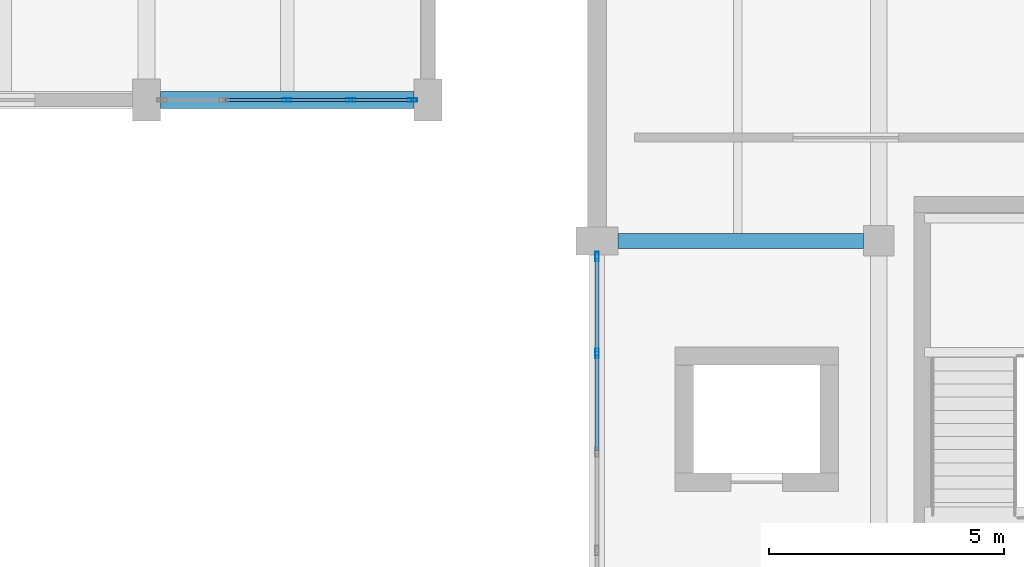
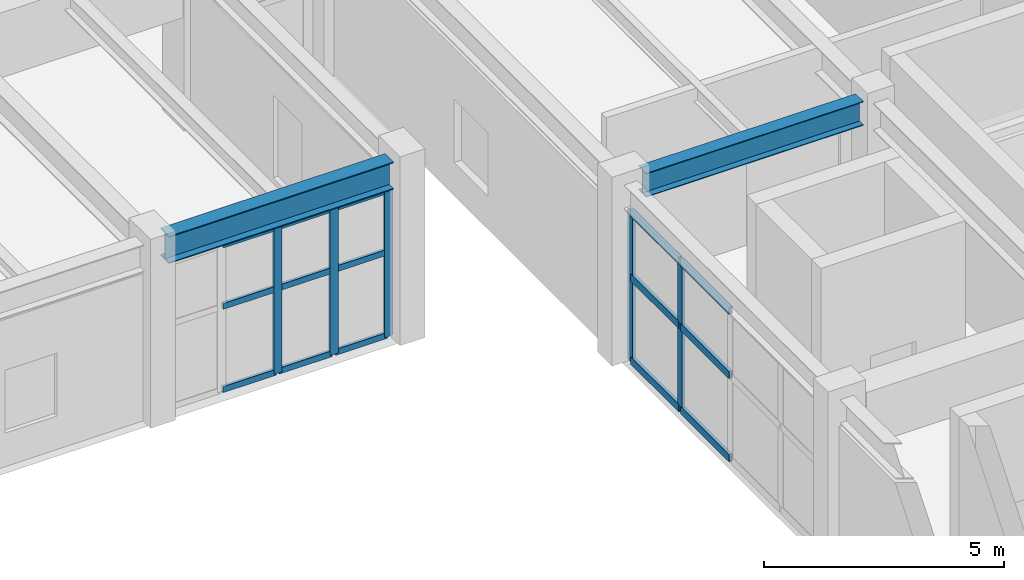
# One storey, part 12 of 85: 20 members, 2 beams, 2 elements without a shape of their own.
"""IFC4 building model written with IfcOpenShell, lengths in metres."""

from ifc_helpers import new_model, si_unit, direction, frame, origin, origin_2d, place, context, subcontext, project, spatial, hollow_rectangle, i_section, extrude, material, layer, layer_set, material_profile, profile_set, type_object, element, aggregate, save


model = new_model("IFC4")

# Units and contexts
model_context = context("Model", 3, precision=1e-05, world=origin(), true_north=direction((0.0, 1.0)))
body_context = subcontext(model_context, "Body", "Model", "MODEL_VIEW")
ifc_project = project(units=[si_unit("LENGTHUNIT", "METRE"), si_unit("AREAUNIT", "SQUARE_METRE"), si_unit("VOLUMEUNIT", "CUBIC_METRE"), si_unit("PLANEANGLEUNIT", "RADIAN"), si_unit("MASSUNIT", "GRAM", prefix="KILO")], contexts=[model_context])

# Site, building, storey
site_placement = place(None, origin())
site = spatial("IfcSite", under=ifc_project, at=site_placement, CompositionType="ELEMENT")
building_placement = place(site_placement, origin())
building = spatial("IfcBuilding", under=site, at=building_placement, Name="Vaelkrest Opera House", CompositionType="ELEMENT")
storey_placement = place(building_placement, frame((0.0, 0.0, 10.199951171875)))
storey = spatial("IfcBuildingStorey", under=building, at=storey_placement, Name="L02", CompositionType="ELEMENT", Elevation=10.199951171875)

# Beam
ifc_material_1 = material(Name="Steel A992 Gr50", Category="steel")
ifc_material_profile_1 = material_profile(ifc_material_1, i_section(OverallWidth=0.323974609375, OverallDepth=0.611083984375, WebThickness=0.0126953125, FlangeThickness=0.01904296875, at=origin_2d()), Name="W24X104")
ifc_profile_set_1 = profile_set([ifc_material_profile_1], Name="Steel A992 Gr50")
beam_type_1 = type_object("IfcBeamType", Name="B08", PredefinedType="BEAM", material=ifc_profile_set_1)
beam_1_placement = place(storey_placement, frame((-29.550048828125, -19.800048828125, 4.199462890625), z_axis=(1.0, 0.0, 0.0), x_axis=(0.0, 1.0, 0.0)))
element("IfcBeam", 1, at=beam_1_placement, inside=storey, type_object=beam_type_1, Name="Beam BM-V1-L02-0337", PredefinedType="BEAM", context=body_context, shape_type="SweptSolid", body=[
    extrude(i_section(OverallWidth=0.323974609375, OverallDepth=0.611083984375, WebThickness=0.0126953125, FlangeThickness=0.01904296875, at=origin_2d()), origin(), (0.0, 0.0, 1.0), 5.22509765625),
])

# Curtain wall, members
ifc_material_2 = material(Name="Dark bronze anodized aluminium", Category="aluminium")
ifc_layer_1 = layer(ifc_material_2, 0.22998046875)
ifc_layer_set_1 = layer_set([ifc_layer_1], Name="Dark bronze anodized aluminium")
curtain_wall_type_1 = type_object("IfcCurtainWallType", Name="CW06", PredefinedType="NOTDEFINED", material=ifc_layer_set_1)
curtain_wall_1_placement = place(storey_placement, origin())
curtain_wall_1 = element("IfcCurtainWall", 2, at=curtain_wall_1_placement, inside=storey, type_object=curtain_wall_type_1, Name="Curtain wall CW-L02-037", PredefinedType="NOTDEFINED")
ifc_material_profile_2 = material_profile(ifc_material_2, hollow_rectangle(XDim=0.070068359375, YDim=0.199951171875, WallThickness=0.004150390625, at=origin_2d()), Name="CWM70X200")
ifc_profile_set_2 = profile_set([ifc_material_profile_2], Name="Dark bronze anodized aluminium")
member_type_1 = type_object("IfcMemberType", Name="CWM02", PredefinedType="MULLION", material=ifc_profile_set_2)
member_1_placement = place(storey_placement, frame((-30.0, -22.198974609375, 0.0), z_axis=(0.0, 0.0, 1.0), x_axis=(-1.0, 0.0, 0.0)))
member_1 = element("IfcMember", 3, at=member_1_placement, type_object=member_type_1, Name="CW06 mullion 4", PredefinedType="MULLION", context=body_context, shape_type="SweptSolid", body=[
    extrude(hollow_rectangle(XDim=0.070068359375, YDim=0.199951171875, WallThickness=0.004150390625, at=origin_2d()), origin(), (0.0, 0.0, 1.0), 3.8291015625),
])
member_2_placement = place(storey_placement, frame((-30.0, -20.133056640625, 0.0), z_axis=(0.0, 0.0, 1.0), x_axis=(-1.0, 0.0, 0.0)))
member_2 = element("IfcMember", 4, at=member_2_placement, type_object=member_type_1, Name="CW06 mullion 5", PredefinedType="MULLION", context=body_context, shape_type="SweptSolid", body=[
    extrude(hollow_rectangle(XDim=0.070068359375, YDim=0.199951171875, WallThickness=0.004150390625, at=origin_2d()), origin(), (0.0, 0.0, 1.0), 3.8291015625),
])

ifc_layer_2 = layer(ifc_material_2, 0.18994140625)
ifc_layer_set_2 = layer_set([ifc_layer_2], Name="Dark bronze anodized aluminium")
curtain_wall_type_2 = type_object("IfcCurtainWallType", Name="CW02", PredefinedType="NOTDEFINED", material=ifc_layer_set_2)
curtain_wall_2_placement = place(storey_placement, origin())
curtain_wall_2 = element("IfcCurtainWall", 5, at=curtain_wall_2_placement, inside=storey, type_object=curtain_wall_type_2, Name="Curtain wall CW-L02-112", PredefinedType="NOTDEFINED")
member_3_placement = place(storey_placement, frame((-33.93310546875, -16.800048828125, 0.0), z_axis=(0.0, 0.0, 1.0), x_axis=(0.0, -1.0, 0.0)))
member_3 = element("IfcMember", 6, at=member_3_placement, type_object=member_type_1, Name="CW02 mullion 1", PredefinedType="MULLION", context=body_context, shape_type="SweptSolid", body=[
    extrude(hollow_rectangle(XDim=0.070068359375, YDim=0.199951171875, WallThickness=0.004150390625, at=origin_2d()), origin(), (0.0, 0.0, 1.0), 3.7451171875),
])
member_4_placement = place(storey_placement, frame((-35.2490234375, -16.800048828125, 0.0), z_axis=(0.0, 0.0, 1.0), x_axis=(0.0, -1.0, 0.0)))
member_4 = element("IfcMember", 7, at=member_4_placement, type_object=member_type_1, Name="CW02 mullion 2", PredefinedType="MULLION", context=body_context, shape_type="SweptSolid", body=[
    extrude(hollow_rectangle(XDim=0.070068359375, YDim=0.199951171875, WallThickness=0.004150390625, at=origin_2d()), origin(), (0.0, 0.0, 1.0), 3.7451171875),
])
member_5_placement = place(storey_placement, frame((-36.60009765625, -16.800048828125, 0.0), z_axis=(0.0, 0.0, 1.0), x_axis=(0.0, -1.0, 0.0)))
member_5 = element("IfcMember", 8, at=member_5_placement, type_object=member_type_1, Name="CW02 mullion 3", PredefinedType="MULLION", context=body_context, shape_type="SweptSolid", body=[
    extrude(hollow_rectangle(XDim=0.070068359375, YDim=0.199951171875, WallThickness=0.004150390625, at=origin_2d()), origin(), (0.0, 0.0, 1.0), 3.7451171875),
])
ifc_material_profile_3 = material_profile(ifc_material_2, hollow_rectangle(XDim=0.070068359375, YDim=0.14990234375, WallThickness=0.004150390625, at=origin_2d()), Name="CWT70X150")
ifc_profile_set_3 = profile_set([ifc_material_profile_3], Name="Dark bronze anodized aluminium")
member_type_2 = type_object("IfcMemberType", Name="CWT02", PredefinedType="USERDEFINED", material=ifc_profile_set_3)
member_6_placement = place(storey_placement, frame((-33.968017578125, -16.800048828125, 0.03515625), z_axis=(-1.0, 0.0, 0.0), x_axis=(0.0, -1.0, 0.0)))
member_6 = element("IfcMember", 9, at=member_6_placement, type_object=member_type_2, Name="CW02 transom 1.1", ObjectType="TRANSOM", PredefinedType="USERDEFINED", context=body_context, shape_type="SweptSolid", body=[
    extrude(hollow_rectangle(XDim=0.070068359375, YDim=0.14990234375, WallThickness=0.004150390625, at=origin_2d()), origin(), (0.0, 0.0, 1.0), 1.24609375),
])
member_7_placement = place(storey_placement, frame((-33.968017578125, -16.800048828125, 2.150146484375), z_axis=(-1.0, 0.0, 0.0), x_axis=(0.0, -1.0, 0.0)))
member_7 = element("IfcMember", 10, at=member_7_placement, type_object=member_type_2, Name="CW02 transom 1.2", ObjectType="TRANSOM", PredefinedType="USERDEFINED", context=body_context, shape_type="SweptSolid", body=[
    extrude(hollow_rectangle(XDim=0.070068359375, YDim=0.14990234375, WallThickness=0.004150390625, at=origin_2d()), origin(), (0.0, 0.0, 1.0), 1.24609375),
])
member_8_placement = place(storey_placement, frame((-33.968017578125, -16.800048828125, 3.7099609375), z_axis=(-1.0, 0.0, 0.0), x_axis=(0.0, -1.0, 0.0)))
member_8 = element("IfcMember", 11, at=member_8_placement, type_object=member_type_2, Name="CW02 transom 1.3", ObjectType="TRANSOM", PredefinedType="USERDEFINED", context=body_context, shape_type="SweptSolid", body=[
    extrude(hollow_rectangle(XDim=0.070068359375, YDim=0.14990234375, WallThickness=0.004150390625, at=origin_2d()), origin(), (0.0, 0.0, 1.0), 1.24609375),
])
member_9_placement = place(storey_placement, frame((-35.283935546875, -16.800048828125, 0.03515625), z_axis=(-1.0, 0.0, 0.0), x_axis=(0.0, -1.0, 0.0)))
member_9 = element("IfcMember", 12, at=member_9_placement, type_object=member_type_2, Name="CW02 transom 2.1", ObjectType="TRANSOM", PredefinedType="USERDEFINED", context=body_context, shape_type="SweptSolid", body=[
    extrude(hollow_rectangle(XDim=0.070068359375, YDim=0.14990234375, WallThickness=0.004150390625, at=origin_2d()), origin(), (0.0, 0.0, 1.0), 1.281005859375),
])
member_10_placement = place(storey_placement, frame((-35.283935546875, -16.800048828125, 2.150146484375), z_axis=(-1.0, 0.0, 0.0), x_axis=(0.0, -1.0, 0.0)))
member_10 = element("IfcMember", 13, at=member_10_placement, type_object=member_type_2, Name="CW02 transom 2.2", ObjectType="TRANSOM", PredefinedType="USERDEFINED", context=body_context, shape_type="SweptSolid", body=[
    extrude(hollow_rectangle(XDim=0.070068359375, YDim=0.14990234375, WallThickness=0.004150390625, at=origin_2d()), origin(), (0.0, 0.0, 1.0), 1.281005859375),
])
member_11_placement = place(storey_placement, frame((-35.283935546875, -16.800048828125, 3.7099609375), z_axis=(-1.0, 0.0, 0.0), x_axis=(0.0, -1.0, 0.0)))
member_11 = element("IfcMember", 14, at=member_11_placement, type_object=member_type_2, Name="CW02 transom 2.3", ObjectType="TRANSOM", PredefinedType="USERDEFINED", context=body_context, shape_type="SweptSolid", body=[
    extrude(hollow_rectangle(XDim=0.070068359375, YDim=0.14990234375, WallThickness=0.004150390625, at=origin_2d()), origin(), (0.0, 0.0, 1.0), 1.281005859375),
])
member_12_placement = place(storey_placement, frame((-36.635009765625, -16.800048828125, 0.03515625), z_axis=(-1.0, 0.0, 0.0), x_axis=(0.0, -1.0, 0.0)))
member_12 = element("IfcMember", 15, at=member_12_placement, type_object=member_type_2, Name="CW02 transom 3.1", ObjectType="TRANSOM", PredefinedType="USERDEFINED", context=body_context, shape_type="SweptSolid", body=[
    extrude(hollow_rectangle(XDim=0.070068359375, YDim=0.14990234375, WallThickness=0.004150390625, at=origin_2d()), origin(), (0.0, 0.0, 1.0), 1.281005859375),
])
member_13_placement = place(storey_placement, frame((-36.635009765625, -16.800048828125, 2.150146484375), z_axis=(-1.0, 0.0, 0.0), x_axis=(0.0, -1.0, 0.0)))
member_13 = element("IfcMember", 16, at=member_13_placement, type_object=member_type_2, Name="CW02 transom 3.2", ObjectType="TRANSOM", PredefinedType="USERDEFINED", context=body_context, shape_type="SweptSolid", body=[
    extrude(hollow_rectangle(XDim=0.070068359375, YDim=0.14990234375, WallThickness=0.004150390625, at=origin_2d()), origin(), (0.0, 0.0, 1.0), 1.281005859375),
])
member_14_placement = place(storey_placement, frame((-36.635009765625, -16.800048828125, 3.7099609375), z_axis=(-1.0, 0.0, 0.0), x_axis=(0.0, -1.0, 0.0)))
member_14 = element("IfcMember", 17, at=member_14_placement, type_object=member_type_2, Name="CW02 transom 3.3", ObjectType="TRANSOM", PredefinedType="USERDEFINED", context=body_context, shape_type="SweptSolid", body=[
    extrude(hollow_rectangle(XDim=0.070068359375, YDim=0.14990234375, WallThickness=0.004150390625, at=origin_2d()), origin(), (0.0, 0.0, 1.0), 1.281005859375),
])
aggregate(curtain_wall_2, [member_3, member_4, member_5, member_6, member_7, member_8, member_9, member_10, member_11, member_12, member_13, member_14])

# Member
ifc_material_profile_4 = material_profile(ifc_material_2, hollow_rectangle(XDim=0.080078125, YDim=0.18994140625, WallThickness=0.0048828125, at=origin_2d()), Name="CWT80X190")
ifc_profile_set_4 = profile_set([ifc_material_profile_4], Name="Dark bronze anodized aluminium")
member_type_3 = type_object("IfcMemberType", Name="CWT04", PredefinedType="USERDEFINED", material=ifc_profile_set_4)
member_15_placement = place(storey_placement, frame((-30.0, -24.264892578125, 0.0400390625), z_axis=(0.0, 1.0, 0.0), x_axis=(-1.0, 0.0, 0.0)))
member_15 = element("IfcMember", 18, at=member_15_placement, type_object=member_type_3, Name="CW06 transom 3.1", ObjectType="TRANSOM", PredefinedType="USERDEFINED", context=body_context, shape_type="SweptSolid", body=[
    extrude(hollow_rectangle(XDim=0.080078125, YDim=0.18994140625, WallThickness=0.0048828125, at=origin_2d()), origin(), (0.0, 0.0, 1.0), 2.031005859375),
])

member_16_placement = place(storey_placement, frame((-30.0, -24.264892578125, 2.150146484375), z_axis=(0.0, 1.0, 0.0), x_axis=(-1.0, 0.0, 0.0)))
member_16 = element("IfcMember", 19, at=member_16_placement, type_object=member_type_3, Name="CW06 transom 3.2", ObjectType="TRANSOM", PredefinedType="USERDEFINED", context=body_context, shape_type="SweptSolid", body=[
    extrude(hollow_rectangle(XDim=0.080078125, YDim=0.18994140625, WallThickness=0.0048828125, at=origin_2d()), origin(), (0.0, 0.0, 1.0), 2.031005859375),
])

member_17_placement = place(storey_placement, frame((-30.0, -24.264892578125, 3.7890625), z_axis=(0.0, 1.0, 0.0), x_axis=(-1.0, 0.0, 0.0)))
member_17 = element("IfcMember", 20, at=member_17_placement, type_object=member_type_3, Name="CW06 transom 3.3", ObjectType="TRANSOM", PredefinedType="USERDEFINED", context=body_context, shape_type="SweptSolid", body=[
    extrude(hollow_rectangle(XDim=0.080078125, YDim=0.18994140625, WallThickness=0.0048828125, at=origin_2d()), origin(), (0.0, 0.0, 1.0), 2.031005859375),
])

member_18_placement = place(storey_placement, frame((-30.0, -22.1640625, 0.0400390625), z_axis=(0.0, 1.0, 0.0), x_axis=(-1.0, 0.0, 0.0)))
member_18 = element("IfcMember", 21, at=member_18_placement, type_object=member_type_3, Name="CW06 transom 4.1", ObjectType="TRANSOM", PredefinedType="USERDEFINED", context=body_context, shape_type="SweptSolid", body=[
    extrude(hollow_rectangle(XDim=0.080078125, YDim=0.18994140625, WallThickness=0.0048828125, at=origin_2d()), origin(), (0.0, 0.0, 1.0), 1.99609375),
])

member_19_placement = place(storey_placement, frame((-30.0, -22.1640625, 2.150146484375), z_axis=(0.0, 1.0, 0.0), x_axis=(-1.0, 0.0, 0.0)))
member_19 = element("IfcMember", 22, at=member_19_placement, type_object=member_type_3, Name="CW06 transom 4.2", ObjectType="TRANSOM", PredefinedType="USERDEFINED", context=body_context, shape_type="SweptSolid", body=[
    extrude(hollow_rectangle(XDim=0.080078125, YDim=0.18994140625, WallThickness=0.0048828125, at=origin_2d()), origin(), (0.0, 0.0, 1.0), 1.99609375),
])

member_20_placement = place(storey_placement, frame((-30.0, -22.1640625, 3.7890625), z_axis=(0.0, 1.0, 0.0), x_axis=(-1.0, 0.0, 0.0)))
member_20 = element("IfcMember", 23, at=member_20_placement, type_object=member_type_3, Name="CW06 transom 4.3", ObjectType="TRANSOM", PredefinedType="USERDEFINED", context=body_context, shape_type="SweptSolid", body=[
    extrude(hollow_rectangle(XDim=0.080078125, YDim=0.18994140625, WallThickness=0.0048828125, at=origin_2d()), origin(), (0.0, 0.0, 1.0), 1.99609375),
])

aggregate(curtain_wall_1, [member_1, member_2, member_15, member_16, member_17, member_18, member_19, member_20])

# Beam
ifc_material_profile_5 = material_profile(ifc_material_1, i_section(OverallWidth=0.35498046875, OverallDepth=0.695068359375, WebThickness=0.015380859375, FlangeThickness=0.02490234375, at=origin_2d()), Name="W27X146")
ifc_profile_set_5 = profile_set([ifc_material_profile_5], Name="Steel A992 Gr50")
beam_type_2 = type_object("IfcBeamType", Name="SP02", PredefinedType="SPANDREL", material=ifc_profile_set_5)
beam_2_placement = place(storey_placement, frame((-39.300048828125, -16.800048828125, 4.157470703125), z_axis=(1.0, 0.0, 0.0), x_axis=(0.0, 1.0, 0.0)))
element("IfcBeam", 24, at=beam_2_placement, inside=storey, type_object=beam_type_2, Name="Beam BM-V3-L02-1627", PredefinedType="SPANDREL", context=body_context, shape_type="SweptSolid", body=[
    extrude(i_section(OverallWidth=0.35498046875, OverallDepth=0.695068359375, WebThickness=0.015380859375, FlangeThickness=0.02490234375, at=origin_2d()), origin(), (0.0, 0.0, 1.0), 5.400146484375),
])

save(model, "model.ifc")
